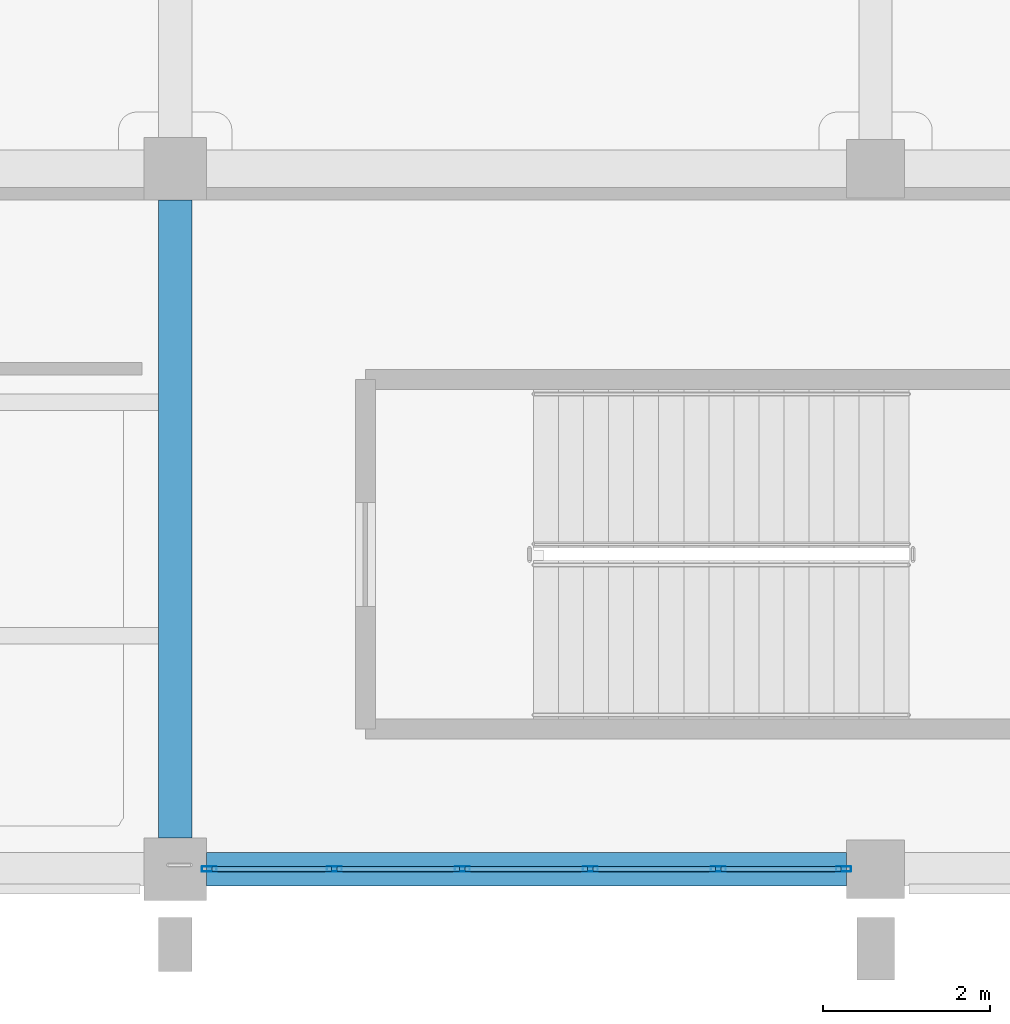
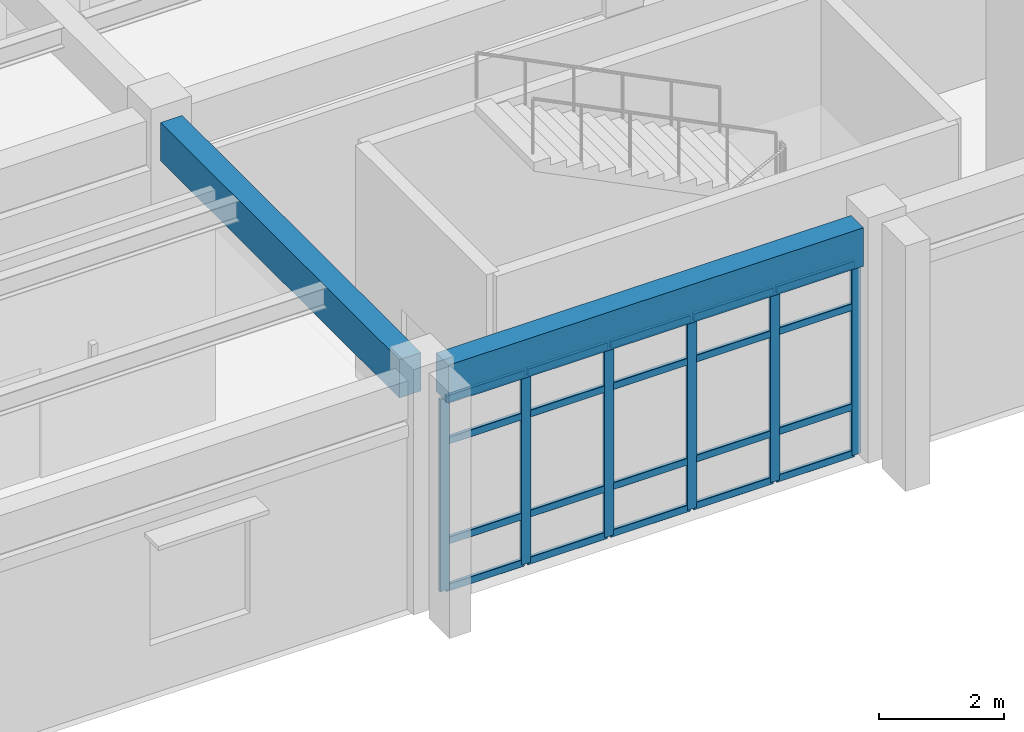
# One storey, part 18 of 98: 26 members, 2 beams, 1 element without a shape of its own.
"""IFC4 building model written with IfcOpenShell, lengths in metres."""

from ifc_helpers import new_model, si_unit, direction, frame, origin, origin_2d, place, context, subcontext, project, spatial, rectangle, hollow_rectangle, extrude, material, material_profile, profile_set, type_object, element, aggregate, save


model = new_model("IFC4")

# Units and contexts
model_context = context("Model", 3, precision=1e-05, world=origin(), true_north=direction((0.0, 1.0)))
body_context = subcontext(model_context, "Body", "Model", "MODEL_VIEW")
ifc_project = project(units=[si_unit("LENGTHUNIT", "METRE"), si_unit("AREAUNIT", "SQUARE_METRE"), si_unit("VOLUMEUNIT", "CUBIC_METRE"), si_unit("PLANEANGLEUNIT", "RADIAN"), si_unit("MASSUNIT", "GRAM", prefix="KILO")], contexts=[model_context])

# Site, building, storey
site_placement = place(None, origin())
site = spatial("IfcSite", under=ifc_project, at=site_placement, CompositionType="ELEMENT")
building_placement = place(site_placement, origin())
building = spatial("IfcBuilding", under=site, at=building_placement, Name="Canglan Escarpment Cableway Terminal", CompositionType="ELEMENT")
storey_placement = place(building_placement, frame((0.0, 0.0, 9.60009765625)))
storey = spatial("IfcBuildingStorey", under=building, at=storey_placement, Name="L02", CompositionType="ELEMENT", Elevation=9.60009765625)

# Beam
ifc_material_1 = material(Name="Concrete C40", Category="concrete")
ifc_material_profile_1 = material_profile(ifc_material_1, rectangle(XDim=0.39990234375, YDim=0.75, at=origin_2d()), Name="RC 400x750")
ifc_profile_set_1 = profile_set([ifc_material_profile_1], Name="Concrete C40")
beam_type_1 = type_object("IfcBeamType", Name="BM-RC400x750", PredefinedType="BEAM", material=ifc_profile_set_1)
beam_1_placement = place(storey_placement, frame((85.39990234375, 8.375, 4.10498046875), z_axis=(0.0, 1.0, 0.0), x_axis=(-1.0, 0.0, 0.0)))
element("IfcBeam", 1, at=beam_1_placement, inside=storey, type_object=beam_type_1, Name="Primary transverse girder B-03", PredefinedType="BEAM", context=body_context, shape_type="SweptSolid", body=[
    extrude(rectangle(XDim=0.39990234375, YDim=0.75, at=origin_2d()), origin(), (0.0, 0.0, 1.0), 7.64990234375),
])

# Curtain wall, members
ifc_material_2 = material(Name="Anodized bronze aluminium and Low-E double glazing", Category="aluminium")
curtain_wall_type = type_object("IfcCurtainWallType", Name="CW-BAY-7675x3750", PredefinedType="NOTDEFINED", material=ifc_material_2)
curtain_wall_placement = place(storey_placement, origin())
curtain_wall = element("IfcCurtainWall", 2, at=curtain_wall_placement, inside=storey, type_object=curtain_wall_type, Name="Classical bay-between-piers glazed curtain wall CW-11", PredefinedType="NOTDEFINED")
ifc_material_3 = material(Name="Thermally broken anodized aluminium 6063-T6", Category="aluminium")
ifc_material_profile_2 = material_profile(ifc_material_3, hollow_rectangle(XDim=0.06494140625, YDim=0.179931640625, WallThickness=0.00390625, InnerFilletRadius=0.00390625, OuterFilletRadius=0.008056640625, at=origin_2d()), Name="ALU-MULL 65x180x4")
ifc_profile_set_2 = profile_set([ifc_material_profile_2], Name="Thermally broken anodized aluminium 6063-T6")
member_type_1 = type_object("IfcMemberType", Name="CWM-03", PredefinedType="MULLION", material=ifc_profile_set_2)
member_1_placement = place(storey_placement, frame((85.8076171875, 8.0, 0.0), z_axis=(0.0, 0.0, 1.0), x_axis=(0.0, 1.0, 0.0)))
member_1 = element("IfcMember", 3, at=member_1_placement, type_object=member_type_1, Name="CW-11 mullion 1", PredefinedType="MULLION", context=body_context, shape_type="SweptSolid", body=[
    extrude(hollow_rectangle(XDim=0.06494140625, YDim=0.179931640625, WallThickness=0.00390625, InnerFilletRadius=0.00390625, OuterFilletRadius=0.008056640625, at=origin_2d()), origin(), (0.0, 0.0, 1.0), 3.7548828125),
])
member_2_placement = place(storey_placement, frame((87.31005859375, 8.0, 0.0), z_axis=(0.0, 0.0, 1.0), x_axis=(0.0, 1.0, 0.0)))
member_2 = element("IfcMember", 4, at=member_2_placement, type_object=member_type_1, Name="CW-11 mullion 2", PredefinedType="MULLION", context=body_context, shape_type="SweptSolid", body=[
    extrude(hollow_rectangle(XDim=0.06494140625, YDim=0.179931640625, WallThickness=0.00390625, InnerFilletRadius=0.00390625, OuterFilletRadius=0.008056640625, at=origin_2d()), origin(), (0.0, 0.0, 1.0), 3.7548828125),
])
member_3_placement = place(storey_placement, frame((88.844970703125, 8.0, 0.0), z_axis=(0.0, 0.0, 1.0), x_axis=(0.0, 1.0, 0.0)))
member_3 = element("IfcMember", 5, at=member_3_placement, type_object=member_type_1, Name="CW-11 mullion 3", PredefinedType="MULLION", context=body_context, shape_type="SweptSolid", body=[
    extrude(hollow_rectangle(XDim=0.06494140625, YDim=0.179931640625, WallThickness=0.00390625, InnerFilletRadius=0.00390625, OuterFilletRadius=0.008056640625, at=origin_2d()), origin(), (0.0, 0.0, 1.0), 3.7548828125),
])
member_4_placement = place(storey_placement, frame((90.3798828125, 8.0, 0.0), z_axis=(0.0, 0.0, 1.0), x_axis=(0.0, 1.0, 0.0)))
member_4 = element("IfcMember", 6, at=member_4_placement, type_object=member_type_1, Name="CW-11 mullion 4", PredefinedType="MULLION", context=body_context, shape_type="SweptSolid", body=[
    extrude(hollow_rectangle(XDim=0.06494140625, YDim=0.179931640625, WallThickness=0.00390625, InnerFilletRadius=0.00390625, OuterFilletRadius=0.008056640625, at=origin_2d()), origin(), (0.0, 0.0, 1.0), 3.7548828125),
])
member_5_placement = place(storey_placement, frame((91.9150390625, 8.0, 0.0), z_axis=(0.0, 0.0, 1.0), x_axis=(0.0, 1.0, 0.0)))
member_5 = element("IfcMember", 7, at=member_5_placement, type_object=member_type_1, Name="CW-11 mullion 5", PredefinedType="MULLION", context=body_context, shape_type="SweptSolid", body=[
    extrude(hollow_rectangle(XDim=0.06494140625, YDim=0.179931640625, WallThickness=0.00390625, InnerFilletRadius=0.00390625, OuterFilletRadius=0.008056640625, at=origin_2d()), origin(), (0.0, 0.0, 1.0), 3.7548828125),
])
member_6_placement = place(storey_placement, frame((93.41748046875, 8.0, 0.0), z_axis=(0.0, 0.0, 1.0), x_axis=(0.0, 1.0, 0.0)))
member_6 = element("IfcMember", 8, at=member_6_placement, type_object=member_type_1, Name="CW-11 mullion 6", PredefinedType="MULLION", context=body_context, shape_type="SweptSolid", body=[
    extrude(hollow_rectangle(XDim=0.06494140625, YDim=0.179931640625, WallThickness=0.00390625, InnerFilletRadius=0.00390625, OuterFilletRadius=0.008056640625, at=origin_2d()), origin(), (0.0, 0.0, 1.0), 3.7548828125),
])
ifc_material_profile_3 = material_profile(ifc_material_3, hollow_rectangle(XDim=0.06494140625, YDim=0.139892578125, WallThickness=0.00341796875, InnerFilletRadius=0.00341796875, OuterFilletRadius=0.007080078125, at=origin_2d()), Name="ALU-TRAN 65x140x3.5")
ifc_profile_set_3 = profile_set([ifc_material_profile_3], Name="Thermally broken anodized aluminium 6063-T6")
member_type_2 = type_object("IfcMemberType", Name="CWT-03", PredefinedType="USERDEFINED", material=ifc_profile_set_3)
member_7_placement = place(storey_placement, frame((85.840087890625, 8.0, 0.032470703125), z_axis=(1.0, 0.0, 0.0), x_axis=(0.0, 1.0, 0.0)))
member_7 = element("IfcMember", 9, at=member_7_placement, type_object=member_type_2, Name="CW-11 transom 1.1", ObjectType="TRANSOM", PredefinedType="USERDEFINED", context=body_context, shape_type="SweptSolid", body=[
    extrude(hollow_rectangle(XDim=0.06494140625, YDim=0.139892578125, WallThickness=0.00341796875, InnerFilletRadius=0.00341796875, OuterFilletRadius=0.007080078125, at=origin_2d()), origin(), (0.0, 0.0, 1.0), 1.4375),
])
member_8_placement = place(storey_placement, frame((85.840087890625, 8.0, 0.949951171875), z_axis=(1.0, 0.0, 0.0), x_axis=(0.0, 1.0, 0.0)))
member_8 = element("IfcMember", 10, at=member_8_placement, type_object=member_type_2, Name="CW-11 transom 1.2", ObjectType="TRANSOM", PredefinedType="USERDEFINED", context=body_context, shape_type="SweptSolid", body=[
    extrude(hollow_rectangle(XDim=0.06494140625, YDim=0.139892578125, WallThickness=0.00341796875, InnerFilletRadius=0.00341796875, OuterFilletRadius=0.007080078125, at=origin_2d()), origin(), (0.0, 0.0, 1.0), 1.4375),
])
member_9_placement = place(storey_placement, frame((85.840087890625, 8.0, 2.90478515625), z_axis=(1.0, 0.0, 0.0), x_axis=(0.0, 1.0, 0.0)))
member_9 = element("IfcMember", 11, at=member_9_placement, type_object=member_type_2, Name="CW-11 transom 1.3", ObjectType="TRANSOM", PredefinedType="USERDEFINED", context=body_context, shape_type="SweptSolid", body=[
    extrude(hollow_rectangle(XDim=0.06494140625, YDim=0.139892578125, WallThickness=0.00341796875, InnerFilletRadius=0.00341796875, OuterFilletRadius=0.007080078125, at=origin_2d()), origin(), (0.0, 0.0, 1.0), 1.4375),
])
member_10_placement = place(storey_placement, frame((85.840087890625, 8.0, 3.722412109375), z_axis=(1.0, 0.0, 0.0), x_axis=(0.0, 1.0, 0.0)))
member_10 = element("IfcMember", 12, at=member_10_placement, type_object=member_type_2, Name="CW-11 transom 1.4", ObjectType="TRANSOM", PredefinedType="USERDEFINED", context=body_context, shape_type="SweptSolid", body=[
    extrude(hollow_rectangle(XDim=0.06494140625, YDim=0.139892578125, WallThickness=0.00341796875, InnerFilletRadius=0.00341796875, OuterFilletRadius=0.007080078125, at=origin_2d()), origin(), (0.0, 0.0, 1.0), 1.4375),
])
member_11_placement = place(storey_placement, frame((87.342529296875, 8.0, 0.032470703125), z_axis=(1.0, 0.0, 0.0), x_axis=(0.0, 1.0, 0.0)))
member_11 = element("IfcMember", 13, at=member_11_placement, type_object=member_type_2, Name="CW-11 transom 2.1", ObjectType="TRANSOM", PredefinedType="USERDEFINED", context=body_context, shape_type="SweptSolid", body=[
    extrude(hollow_rectangle(XDim=0.06494140625, YDim=0.139892578125, WallThickness=0.00341796875, InnerFilletRadius=0.00341796875, OuterFilletRadius=0.007080078125, at=origin_2d()), origin(), (0.0, 0.0, 1.0), 1.469970703125),
])
member_12_placement = place(storey_placement, frame((87.342529296875, 8.0, 0.949951171875), z_axis=(1.0, 0.0, 0.0), x_axis=(0.0, 1.0, 0.0)))
member_12 = element("IfcMember", 14, at=member_12_placement, type_object=member_type_2, Name="CW-11 transom 2.2", ObjectType="TRANSOM", PredefinedType="USERDEFINED", context=body_context, shape_type="SweptSolid", body=[
    extrude(hollow_rectangle(XDim=0.06494140625, YDim=0.139892578125, WallThickness=0.00341796875, InnerFilletRadius=0.00341796875, OuterFilletRadius=0.007080078125, at=origin_2d()), origin(), (0.0, 0.0, 1.0), 1.469970703125),
])
member_13_placement = place(storey_placement, frame((87.342529296875, 8.0, 2.90478515625), z_axis=(1.0, 0.0, 0.0), x_axis=(0.0, 1.0, 0.0)))
member_13 = element("IfcMember", 15, at=member_13_placement, type_object=member_type_2, Name="CW-11 transom 2.3", ObjectType="TRANSOM", PredefinedType="USERDEFINED", context=body_context, shape_type="SweptSolid", body=[
    extrude(hollow_rectangle(XDim=0.06494140625, YDim=0.139892578125, WallThickness=0.00341796875, InnerFilletRadius=0.00341796875, OuterFilletRadius=0.007080078125, at=origin_2d()), origin(), (0.0, 0.0, 1.0), 1.469970703125),
])
member_14_placement = place(storey_placement, frame((87.342529296875, 8.0, 3.722412109375), z_axis=(1.0, 0.0, 0.0), x_axis=(0.0, 1.0, 0.0)))
member_14 = element("IfcMember", 16, at=member_14_placement, type_object=member_type_2, Name="CW-11 transom 2.4", ObjectType="TRANSOM", PredefinedType="USERDEFINED", context=body_context, shape_type="SweptSolid", body=[
    extrude(hollow_rectangle(XDim=0.06494140625, YDim=0.139892578125, WallThickness=0.00341796875, InnerFilletRadius=0.00341796875, OuterFilletRadius=0.007080078125, at=origin_2d()), origin(), (0.0, 0.0, 1.0), 1.469970703125),
])
member_15_placement = place(storey_placement, frame((88.87744140625, 8.0, 0.032470703125), z_axis=(1.0, 0.0, 0.0), x_axis=(0.0, 1.0, 0.0)))
member_15 = element("IfcMember", 17, at=member_15_placement, type_object=member_type_2, Name="CW-11 transom 3.1", ObjectType="TRANSOM", PredefinedType="USERDEFINED", context=body_context, shape_type="SweptSolid", body=[
    extrude(hollow_rectangle(XDim=0.06494140625, YDim=0.139892578125, WallThickness=0.00341796875, InnerFilletRadius=0.00341796875, OuterFilletRadius=0.007080078125, at=origin_2d()), origin(), (0.0, 0.0, 1.0), 1.469970703125),
])
member_16_placement = place(storey_placement, frame((88.87744140625, 8.0, 0.949951171875), z_axis=(1.0, 0.0, 0.0), x_axis=(0.0, 1.0, 0.0)))
member_16 = element("IfcMember", 18, at=member_16_placement, type_object=member_type_2, Name="CW-11 transom 3.2", ObjectType="TRANSOM", PredefinedType="USERDEFINED", context=body_context, shape_type="SweptSolid", body=[
    extrude(hollow_rectangle(XDim=0.06494140625, YDim=0.139892578125, WallThickness=0.00341796875, InnerFilletRadius=0.00341796875, OuterFilletRadius=0.007080078125, at=origin_2d()), origin(), (0.0, 0.0, 1.0), 1.469970703125),
])
member_17_placement = place(storey_placement, frame((88.87744140625, 8.0, 2.90478515625), z_axis=(1.0, 0.0, 0.0), x_axis=(0.0, 1.0, 0.0)))
member_17 = element("IfcMember", 19, at=member_17_placement, type_object=member_type_2, Name="CW-11 transom 3.3", ObjectType="TRANSOM", PredefinedType="USERDEFINED", context=body_context, shape_type="SweptSolid", body=[
    extrude(hollow_rectangle(XDim=0.06494140625, YDim=0.139892578125, WallThickness=0.00341796875, InnerFilletRadius=0.00341796875, OuterFilletRadius=0.007080078125, at=origin_2d()), origin(), (0.0, 0.0, 1.0), 1.469970703125),
])
member_18_placement = place(storey_placement, frame((88.87744140625, 8.0, 3.722412109375), z_axis=(1.0, 0.0, 0.0), x_axis=(0.0, 1.0, 0.0)))
member_18 = element("IfcMember", 20, at=member_18_placement, type_object=member_type_2, Name="CW-11 transom 3.4", ObjectType="TRANSOM", PredefinedType="USERDEFINED", context=body_context, shape_type="SweptSolid", body=[
    extrude(hollow_rectangle(XDim=0.06494140625, YDim=0.139892578125, WallThickness=0.00341796875, InnerFilletRadius=0.00341796875, OuterFilletRadius=0.007080078125, at=origin_2d()), origin(), (0.0, 0.0, 1.0), 1.469970703125),
])
member_19_placement = place(storey_placement, frame((90.41259765625, 8.0, 0.032470703125), z_axis=(1.0, 0.0, 0.0), x_axis=(0.0, 1.0, 0.0)))
member_19 = element("IfcMember", 21, at=member_19_placement, type_object=member_type_2, Name="CW-11 transom 4.1", ObjectType="TRANSOM", PredefinedType="USERDEFINED", context=body_context, shape_type="SweptSolid", body=[
    extrude(hollow_rectangle(XDim=0.06494140625, YDim=0.139892578125, WallThickness=0.00341796875, InnerFilletRadius=0.00341796875, OuterFilletRadius=0.007080078125, at=origin_2d()), origin(), (0.0, 0.0, 1.0), 1.469970703125),
])
member_20_placement = place(storey_placement, frame((90.41259765625, 8.0, 0.949951171875), z_axis=(1.0, 0.0, 0.0), x_axis=(0.0, 1.0, 0.0)))
member_20 = element("IfcMember", 22, at=member_20_placement, type_object=member_type_2, Name="CW-11 transom 4.2", ObjectType="TRANSOM", PredefinedType="USERDEFINED", context=body_context, shape_type="SweptSolid", body=[
    extrude(hollow_rectangle(XDim=0.06494140625, YDim=0.139892578125, WallThickness=0.00341796875, InnerFilletRadius=0.00341796875, OuterFilletRadius=0.007080078125, at=origin_2d()), origin(), (0.0, 0.0, 1.0), 1.469970703125),
])
member_21_placement = place(storey_placement, frame((90.41259765625, 8.0, 2.90478515625), z_axis=(1.0, 0.0, 0.0), x_axis=(0.0, 1.0, 0.0)))
member_21 = element("IfcMember", 23, at=member_21_placement, type_object=member_type_2, Name="CW-11 transom 4.3", ObjectType="TRANSOM", PredefinedType="USERDEFINED", context=body_context, shape_type="SweptSolid", body=[
    extrude(hollow_rectangle(XDim=0.06494140625, YDim=0.139892578125, WallThickness=0.00341796875, InnerFilletRadius=0.00341796875, OuterFilletRadius=0.007080078125, at=origin_2d()), origin(), (0.0, 0.0, 1.0), 1.469970703125),
])
member_22_placement = place(storey_placement, frame((90.41259765625, 8.0, 3.722412109375), z_axis=(1.0, 0.0, 0.0), x_axis=(0.0, 1.0, 0.0)))
member_22 = element("IfcMember", 24, at=member_22_placement, type_object=member_type_2, Name="CW-11 transom 4.4", ObjectType="TRANSOM", PredefinedType="USERDEFINED", context=body_context, shape_type="SweptSolid", body=[
    extrude(hollow_rectangle(XDim=0.06494140625, YDim=0.139892578125, WallThickness=0.00341796875, InnerFilletRadius=0.00341796875, OuterFilletRadius=0.007080078125, at=origin_2d()), origin(), (0.0, 0.0, 1.0), 1.469970703125),
])
member_23_placement = place(storey_placement, frame((91.947509765625, 8.0, 0.032470703125), z_axis=(1.0, 0.0, 0.0), x_axis=(0.0, 1.0, 0.0)))
member_23 = element("IfcMember", 25, at=member_23_placement, type_object=member_type_2, Name="CW-11 transom 5.1", ObjectType="TRANSOM", PredefinedType="USERDEFINED", context=body_context, shape_type="SweptSolid", body=[
    extrude(hollow_rectangle(XDim=0.06494140625, YDim=0.139892578125, WallThickness=0.00341796875, InnerFilletRadius=0.00341796875, OuterFilletRadius=0.007080078125, at=origin_2d()), origin(), (0.0, 0.0, 1.0), 1.4375),
])
member_24_placement = place(storey_placement, frame((91.947509765625, 8.0, 0.949951171875), z_axis=(1.0, 0.0, 0.0), x_axis=(0.0, 1.0, 0.0)))
member_24 = element("IfcMember", 26, at=member_24_placement, type_object=member_type_2, Name="CW-11 transom 5.2", ObjectType="TRANSOM", PredefinedType="USERDEFINED", context=body_context, shape_type="SweptSolid", body=[
    extrude(hollow_rectangle(XDim=0.06494140625, YDim=0.139892578125, WallThickness=0.00341796875, InnerFilletRadius=0.00341796875, OuterFilletRadius=0.007080078125, at=origin_2d()), origin(), (0.0, 0.0, 1.0), 1.4375),
])
member_25_placement = place(storey_placement, frame((91.947509765625, 8.0, 2.90478515625), z_axis=(1.0, 0.0, 0.0), x_axis=(0.0, 1.0, 0.0)))
member_25 = element("IfcMember", 27, at=member_25_placement, type_object=member_type_2, Name="CW-11 transom 5.3", ObjectType="TRANSOM", PredefinedType="USERDEFINED", context=body_context, shape_type="SweptSolid", body=[
    extrude(hollow_rectangle(XDim=0.06494140625, YDim=0.139892578125, WallThickness=0.00341796875, InnerFilletRadius=0.00341796875, OuterFilletRadius=0.007080078125, at=origin_2d()), origin(), (0.0, 0.0, 1.0), 1.4375),
])
member_26_placement = place(storey_placement, frame((91.947509765625, 8.0, 3.722412109375), z_axis=(1.0, 0.0, 0.0), x_axis=(0.0, 1.0, 0.0)))
member_26 = element("IfcMember", 28, at=member_26_placement, type_object=member_type_2, Name="CW-11 transom 5.4", ObjectType="TRANSOM", PredefinedType="USERDEFINED", context=body_context, shape_type="SweptSolid", body=[
    extrude(hollow_rectangle(XDim=0.06494140625, YDim=0.139892578125, WallThickness=0.00341796875, InnerFilletRadius=0.00341796875, OuterFilletRadius=0.007080078125, at=origin_2d()), origin(), (0.0, 0.0, 1.0), 1.4375),
])
aggregate(curtain_wall, [member_1, member_2, member_3, member_4, member_5, member_6, member_7, member_8, member_9, member_10, member_11, member_12, member_13, member_14, member_15, member_16, member_17, member_18, member_19, member_20, member_21, member_22, member_23, member_24, member_25, member_26])

# Beam
ifc_material_profile_4 = material_profile(ifc_material_1, rectangle(XDim=0.39990234375, YDim=0.75, at=origin_2d()), Name="RC 400x750")
ifc_profile_set_4 = profile_set([ifc_material_profile_4], Name="Concrete C40")
beam_type_2 = type_object("IfcBeamType", Name="SP-RC400x750", PredefinedType="SPANDREL", material=ifc_profile_set_4)
beam_2_placement = place(storey_placement, frame((85.77490234375, 8.0, 4.14501953125), z_axis=(1.0, 0.0, 0.0), x_axis=(0.0, 1.0, 0.0)))
element("IfcBeam", 29, at=beam_2_placement, inside=storey, type_object=beam_type_2, Name="Primary structural girder SP-01", PredefinedType="SPANDREL", context=body_context, shape_type="SweptSolid", body=[
    extrude(rectangle(XDim=0.39990234375, YDim=0.75, at=origin_2d()), origin(), (0.0, 0.0, 1.0), 7.675048828125),
])

save(model, "model.ifc")
